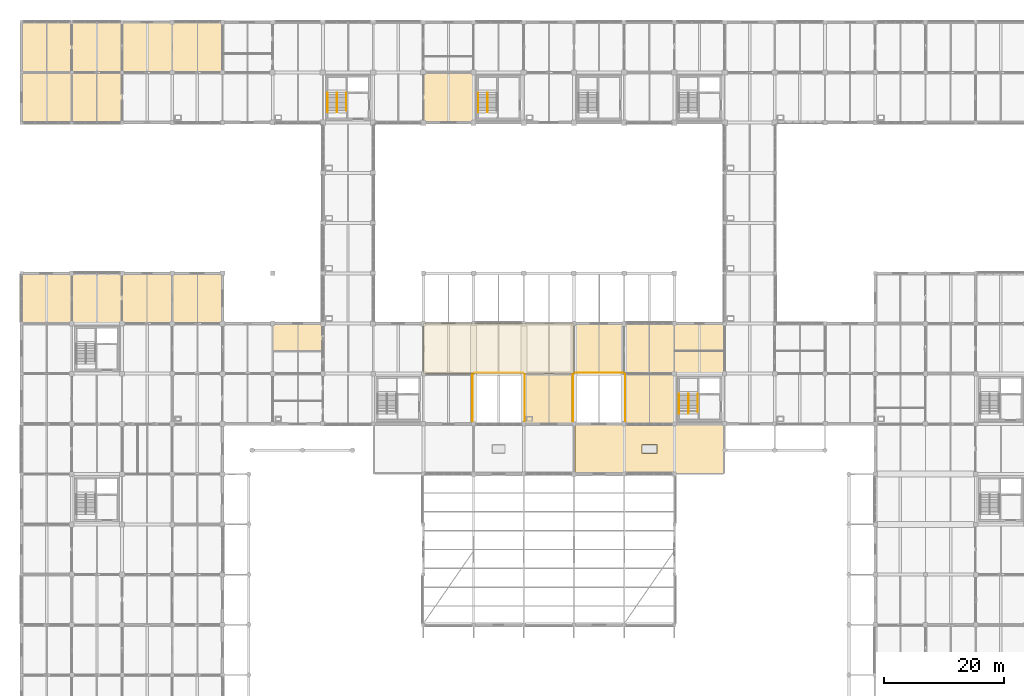
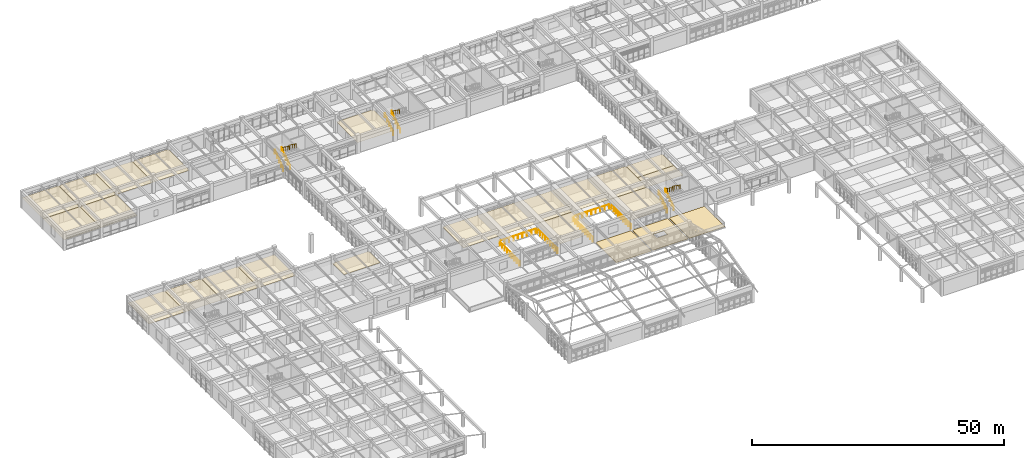
# One storey, part 97 of 99: 22 coverings, 17 railings.
"""IFC4 building model written with IfcOpenShell, lengths in metres."""

from ifc_helpers import new_model, si_unit, direction, frame, origin, origin_2d, place, context, subcontext, project, spatial, polyline, circle, outline, extrude, material, layer, layer_set, type_object, element, save


model = new_model("IFC4")

# Units and contexts
model_context = context("Model", 3, precision=1e-05, world=origin(), true_north=direction((0.0, 1.0)))
body_context = subcontext(model_context, "Body", "Model", "MODEL_VIEW")
ifc_project = project(units=[si_unit("LENGTHUNIT", "METRE"), si_unit("AREAUNIT", "SQUARE_METRE"), si_unit("VOLUMEUNIT", "CUBIC_METRE"), si_unit("PLANEANGLEUNIT", "RADIAN"), si_unit("MASSUNIT", "GRAM", prefix="KILO")], contexts=[model_context])

# Site, building, storey
site_placement = place(None, origin())
site = spatial("IfcSite", under=ifc_project, at=site_placement, CompositionType="ELEMENT")
building_placement = place(site_placement, origin())
building = spatial("IfcBuilding", under=site, at=building_placement, Name="Porcellanite Civic Hall", CompositionType="ELEMENT")
storey_placement = place(building_placement, frame((0.0, 0.0, 5.760009765625)))
storey = spatial("IfcBuildingStorey", under=building, at=storey_placement, Name="L01", CompositionType="ELEMENT", Elevation=5.760009765625)

# Coverings
ifc_material_1 = material(Name="Perforated acoustic mineral-fibre and spotted-gum batten ceiling")
ifc_layer_1 = layer(ifc_material_1, 0.02490234375)
ifc_layer_set_1 = layer_set([ifc_layer_1], Name="Perforated acoustic mineral-fibre and spotted-gum batten ceiling")
covering_type_1 = type_object("IfcCoveringType", Name="COV-CL1", PredefinedType="CEILING", material=ifc_layer_set_1)
covering_1_placement = place(storey_placement, frame((0.0, 0.0, 2.375)))
element("IfcCovering", 1, at=covering_1_placement, inside=storey, type_object=covering_type_1, Name="Acoustic ceiling Statutory Inquiries Office L01-B", PredefinedType="CEILING", context=body_context, shape_type="SweptSolid", body=[
    extrude(outline(polyline([(42.010009765625, 62.610107421875), (50.389892578125, 62.610107421875), (50.389892578125, 67.18994140625), (42.010009765625, 67.18994140625), (42.010009765625, 62.610107421875)])), origin(), (0.0, 0.0, 1.0), 0.02490234375),
])
covering_2_placement = place(storey_placement, frame((0.0, 0.0, 2.375)))
element("IfcCovering", 2, at=covering_2_placement, inside=storey, type_object=covering_type_1, Name="Acoustic ceiling Parliamentary Counsel Suite L01-A", PredefinedType="CEILING", context=body_context, shape_type="SweptSolid", body=[
    extrude(outline(polyline([(109.2099609375, 58.81005859375), (117.590087890625, 58.81005859375), (117.590087890625, 62.590087890625), (109.2099609375, 62.590087890625), (109.2099609375, 58.81005859375)])), origin(), (0.0, 0.0, 1.0), 0.02490234375),
])
covering_3_placement = place(storey_placement, frame((0.0, 0.0, 2.375)))
element("IfcCovering", 3, at=covering_3_placement, inside=storey, type_object=covering_type_1, Name="Acoustic ceiling Committee Briefing Room L01-C", PredefinedType="CEILING", context=body_context, shape_type="SweptSolid", body=[
    extrude(outline(polyline([(109.2099609375, 62.610107421875), (117.590087890625, 62.610107421875), (117.590087890625, 67.18994140625), (109.2099609375, 67.18994140625), (109.2099609375, 62.610107421875)])), origin(), (0.0, 0.0, 1.0), 0.02490234375),
])
covering_4_placement = place(storey_placement, frame((0.0, 0.0, 2.375)))
element("IfcCovering", 4, at=covering_4_placement, inside=storey, type_object=covering_type_1, Name="Acoustic ceiling Standing Committee Suite L01-09", PredefinedType="CEILING", context=body_context, shape_type="SweptSolid", body=[
    extrude(outline(polyline([(0.010009765625, 67.2099609375), (8.389892578125, 67.2099609375), (8.389892578125, 75.590087890625), (0.010009765625, 75.590087890625), (0.010009765625, 67.2099609375)])), origin(), (0.0, 0.0, 1.0), 0.02490234375),
])
covering_5_placement = place(storey_placement, frame((0.0, 0.0, 2.375)))
element("IfcCovering", 5, at=covering_5_placement, inside=storey, type_object=covering_type_1, Name="Acoustic ceiling Municipal Finance Office L01-10", PredefinedType="CEILING", context=body_context, shape_type="SweptSolid", body=[
    extrude(outline(polyline([(0.010009765625, 100.81005859375), (8.389892578125, 100.81005859375), (8.389892578125, 109.18994140625), (0.010009765625, 109.18994140625), (0.010009765625, 100.81005859375)])), origin(), (0.0, 0.0, 1.0), 0.02490234375),
])
covering_6_placement = place(storey_placement, frame((0.0, 0.0, 2.375)))
element("IfcCovering", 6, at=covering_6_placement, inside=storey, type_object=covering_type_1, Name="Acoustic ceiling Customer Relations Office L01-11", PredefinedType="CEILING", context=body_context, shape_type="SweptSolid", body=[
    extrude(outline(polyline([(0.010009765625, 109.2099609375), (8.389892578125, 109.2099609375), (8.389892578125, 117.590087890625), (0.010009765625, 117.590087890625), (0.010009765625, 109.2099609375)])), origin(), (0.0, 0.0, 1.0), 0.02490234375),
])
covering_7_placement = place(storey_placement, frame((0.0, 0.0, 2.375)))
element("IfcCovering", 7, at=covering_7_placement, inside=storey, type_object=covering_type_1, Name="Acoustic ceiling Standing Committee Suite L01-18", PredefinedType="CEILING", context=body_context, shape_type="SweptSolid", body=[
    extrude(outline(polyline([(8.409912109375, 67.2099609375), (16.7900390625, 67.2099609375), (16.7900390625, 75.590087890625), (8.409912109375, 75.590087890625), (8.409912109375, 67.2099609375)])), origin(), (0.0, 0.0, 1.0), 0.02490234375),
])
covering_8_placement = place(storey_placement, frame((0.0, 0.0, 2.375)))
element("IfcCovering", 8, at=covering_8_placement, inside=storey, type_object=covering_type_1, Name="Acoustic ceiling Municipal Finance Office L01-19", PredefinedType="CEILING", context=body_context, shape_type="SweptSolid", body=[
    extrude(outline(polyline([(8.409912109375, 100.81005859375), (16.7900390625, 100.81005859375), (16.7900390625, 109.18994140625), (8.409912109375, 109.18994140625), (8.409912109375, 100.81005859375)])), origin(), (0.0, 0.0, 1.0), 0.02490234375),
])
covering_9_placement = place(storey_placement, frame((0.0, 0.0, 2.375)))
element("IfcCovering", 9, at=covering_9_placement, inside=storey, type_object=covering_type_1, Name="Acoustic ceiling Customer Relations Office L01-20", PredefinedType="CEILING", context=body_context, shape_type="SweptSolid", body=[
    extrude(outline(polyline([(8.409912109375, 109.2099609375), (16.7900390625, 109.2099609375), (16.7900390625, 117.590087890625), (8.409912109375, 117.590087890625), (8.409912109375, 109.2099609375)])), origin(), (0.0, 0.0, 1.0), 0.02490234375),
])
covering_10_placement = place(storey_placement, frame((0.0, 0.0, 2.375)))
element("IfcCovering", 10, at=covering_10_placement, inside=storey, type_object=covering_type_1, Name="Acoustic ceiling Hansard Witness Room L01-28", PredefinedType="CEILING", context=body_context, shape_type="SweptSolid", body=[
    extrude(outline(polyline([(16.81005859375, 67.2099609375), (25.18994140625, 67.2099609375), (25.18994140625, 75.590087890625), (16.81005859375, 75.590087890625), (16.81005859375, 67.2099609375)])), origin(), (0.0, 0.0, 1.0), 0.02490234375),
])
covering_11_placement = place(storey_placement, frame((0.0, 0.0, 2.375)))
element("IfcCovering", 11, at=covering_11_placement, inside=storey, type_object=covering_type_1, Name="Acoustic ceiling Civic Events Directorate L01-30", PredefinedType="CEILING", context=body_context, shape_type="SweptSolid", body=[
    extrude(outline(polyline([(16.81005859375, 109.2099609375), (25.18994140625, 109.2099609375), (25.18994140625, 117.590087890625), (16.81005859375, 117.590087890625), (16.81005859375, 109.2099609375)])), origin(), (0.0, 0.0, 1.0), 0.02490234375),
])
covering_12_placement = place(storey_placement, frame((0.0, 0.0, 2.375)))
element("IfcCovering", 12, at=covering_12_placement, inside=storey, type_object=covering_type_1, Name="Acoustic ceiling Committee Room L01-39", PredefinedType="CEILING", context=body_context, shape_type="SweptSolid", body=[
    extrude(outline(polyline([(25.2099609375, 67.2099609375), (33.590087890625, 67.2099609375), (33.590087890625, 75.590087890625), (25.2099609375, 75.590087890625), (25.2099609375, 67.2099609375)])), origin(), (0.0, 0.0, 1.0), 0.02490234375),
])
covering_13_placement = place(storey_placement, frame((0.0, 0.0, 2.375)))
element("IfcCovering", 13, at=covering_13_placement, inside=storey, type_object=covering_type_1, Name="Acoustic ceiling Procurement Suite L01-41", PredefinedType="CEILING", context=body_context, shape_type="SweptSolid", body=[
    extrude(outline(polyline([(25.2099609375, 109.2099609375), (33.590087890625, 109.2099609375), (33.590087890625, 117.590087890625), (25.2099609375, 117.590087890625), (25.2099609375, 109.2099609375)])), origin(), (0.0, 0.0, 1.0), 0.02490234375),
])
covering_14_placement = place(storey_placement, frame((0.0, 0.0, 2.375)))
element("IfcCovering", 14, at=covering_14_placement, inside=storey, type_object=covering_type_1, Name="Acoustic ceiling Municipal Finance Office L01-58", PredefinedType="CEILING", context=body_context, shape_type="SweptSolid", body=[
    extrude(outline(polyline([(67.2099609375, 100.81005859375), (75.590087890625, 100.81005859375), (75.590087890625, 109.18994140625), (67.2099609375, 109.18994140625), (67.2099609375, 100.81005859375)])), origin(), (0.0, 0.0, 1.0), 0.02490234375),
])
covering_15_placement = place(storey_placement, frame((0.0, 0.0, 2.375)))
element("IfcCovering", 15, at=covering_15_placement, inside=storey, type_object=covering_type_1, Name="Acoustic ceiling Citizens Ombudsman Suite L01-60", PredefinedType="CEILING", context=body_context, shape_type="SweptSolid", body=[
    extrude(outline(polyline([(84.010009765625, 50.409912109375), (92.389892578125, 50.409912109375), (92.389892578125, 58.7900390625), (84.010009765625, 58.7900390625), (84.010009765625, 50.409912109375)])), origin(), (0.0, 0.0, 1.0), 0.02490234375),
])
covering_16_placement = place(storey_placement, frame((0.0, 0.0, 2.375)))
element("IfcCovering", 16, at=covering_16_placement, inside=storey, type_object=covering_type_1, Name="Acoustic ceiling Parliamentary Counsel Suite L01-63", PredefinedType="CEILING", context=body_context, shape_type="SweptSolid", body=[
    extrude(outline(polyline([(92.409912109375, 58.81005859375), (100.7900390625, 58.81005859375), (100.7900390625, 67.18994140625), (92.409912109375, 67.18994140625), (92.409912109375, 58.81005859375)])), origin(), (0.0, 0.0, 1.0), 0.02490234375),
])
covering_17_placement = place(storey_placement, frame((0.0, 0.0, 2.375)))
element("IfcCovering", 17, at=covering_17_placement, inside=storey, type_object=covering_type_1, Name="Acoustic ceiling Committee Briefing Room L01-65", PredefinedType="CEILING", context=body_context, shape_type="SweptSolid", body=[
    extrude(outline(polyline([(100.81005859375, 50.409912109375), (109.18994140625, 50.409912109375), (109.18994140625, 58.7900390625), (100.81005859375, 58.7900390625), (100.81005859375, 50.409912109375)])), origin(), (0.0, 0.0, 1.0), 0.02490234375),
])
covering_18_placement = place(storey_placement, frame((0.0, 0.0, 2.375)))
element("IfcCovering", 18, at=covering_18_placement, inside=storey, type_object=covering_type_1, Name="Acoustic ceiling Citizens Ombudsman Suite L01-66", PredefinedType="CEILING", context=body_context, shape_type="SweptSolid", body=[
    extrude(outline(polyline([(100.81005859375, 58.81005859375), (109.18994140625, 58.81005859375), (109.18994140625, 67.18994140625), (100.81005859375, 67.18994140625), (100.81005859375, 58.81005859375)])), origin(), (0.0, 0.0, 1.0), 0.02490234375),
])
ifc_material_2 = material(Name="Perforated acoustic mineral-fibre and spotted-gum batten ceiling")
ifc_layer_2 = layer(ifc_material_2, 0.044921875)
ifc_layer_set_2 = layer_set([ifc_layer_2], Name="Perforated acoustic mineral-fibre and spotted-gum batten ceiling")
covering_type_2 = type_object("IfcCoveringType", Name="COV-CL3", PredefinedType="CEILING", material=ifc_layer_set_2)
covering_19_placement = place(storey_placement, frame((0.0, 0.0, 2.35498046875)))
element("IfcCovering", 19, at=covering_19_placement, inside=storey, type_object=covering_type_2, Name="Acoustic ceiling Citizens Service Centre Mezzanine", PredefinedType="CEILING", context=body_context, shape_type="SweptSolid", body=[
    extrude(outline(polyline([(67.2099609375, 58.81005859375), (92.389892578125, 58.81005859375), (92.389892578125, 67.18994140625), (67.2099609375, 67.18994140625), (67.2099609375, 58.81005859375)])), origin(), (0.0, 0.0, 1.0), 0.044921875),
])
ifc_material_3 = material(Name="Insulated light-reflective TPO monsoon roofing membrane")
ifc_layer_3 = layer(ifc_material_3, 0.080078125)
ifc_layer_set_3 = layer_set([ifc_layer_3], Name="Insulated light-reflective TPO monsoon roofing membrane")
covering_type_3 = type_object("IfcCoveringType", Name="COV-RF1", PredefinedType="ROOFING", material=ifc_layer_set_3)
covering_20_placement = place(storey_placement, origin())
element("IfcCovering", 20, at=covering_20_placement, inside=storey, type_object=covering_type_3, Name="Roof membrane L01 13-6", PredefinedType="ROOFING", context=body_context, shape_type="SweptSolid", body=[
    extrude(outline(polyline([(100.949951171875, 42.14990234375), (109.050048828125, 42.14990234375), (109.050048828125, 50.25), (100.949951171875, 50.25), (100.949951171875, 42.14990234375)]), holes=[polyline([(103.75, 45.449951171875), (106.25, 45.449951171875), (106.25, 46.949951171875), (103.75, 46.949951171875), (103.75, 45.449951171875)])]), origin(), (0.0, 0.0, 1.0), 0.080078125),
])
ifc_material_4 = material(Name="Insulated light-reflective TPO monsoon roofing membrane")
ifc_layer_4 = layer(ifc_material_4, 0.070068359375)
ifc_layer_set_4 = layer_set([ifc_layer_4], Name="Insulated light-reflective TPO monsoon roofing membrane")
covering_type_4 = type_object("IfcCoveringType", Name="COV-RF2", PredefinedType="ROOFING", material=ifc_layer_set_4)
covering_21_placement = place(storey_placement, origin())
element("IfcCovering", 21, at=covering_21_placement, inside=storey, type_object=covering_type_4, Name="Roof membrane L01 14-6", PredefinedType="ROOFING", context=body_context, shape_type="SweptSolid", body=[
    extrude(outline(polyline([(109.35009765625, 42.14990234375), (117.449951171875, 42.14990234375), (117.449951171875, 50.25), (109.35009765625, 50.25), (109.35009765625, 42.14990234375)])), origin(), (0.0, 0.0, 1.0), 0.070068359375),
])
ifc_material_5 = material(Name="Insulated light-reflective TPO monsoon roofing membrane")
ifc_layer_5 = layer(ifc_material_5, 0.06005859375)
ifc_layer_set_5 = layer_set([ifc_layer_5], Name="Insulated light-reflective TPO monsoon roofing membrane")
covering_type_5 = type_object("IfcCoveringType", Name="COV-RF3", PredefinedType="ROOFING", material=ifc_layer_set_5)
covering_22_placement = place(storey_placement, origin())
element("IfcCovering", 22, at=covering_22_placement, inside=storey, type_object=covering_type_5, Name="Roof membrane L01 12-6", PredefinedType="ROOFING", context=body_context, shape_type="SweptSolid", body=[
    extrude(outline(polyline([(92.550048828125, 42.14990234375), (100.64990234375, 42.14990234375), (100.64990234375, 50.25), (92.550048828125, 50.25), (92.550048828125, 42.14990234375)])), origin(), (0.0, 0.0, 1.0), 0.06005859375),
])

# Railings
ifc_material_6 = material(Name="Brushed stainless steel 316", Category="steel")
railing_type_1 = type_object("IfcRailingType", Name="RL-GR114", PredefinedType="GUARDRAIL", material=ifc_material_6)
railing_1_placement = place(storey_placement, frame((75.719970703125, 58.9599609375, 0.0)))
element("IfcRailing", 23, at=railing_1_placement, inside=storey, type_object=railing_type_1, Name="Gallery void guard L01 N 10-7", PredefinedType="GUARDRAIL", context=body_context, shape_type="SweptSolid", body=[
    extrude(circle(Radius=0.02490234375, at=origin_2d()), frame((0.0, 0.0, 1.11474609375), z_axis=(1.0, 0.0, 0.0), x_axis=(0.0, 1.0, 0.0)), (0.0, 0.0, 1.0), 8.159912109375),
    extrude(circle(Radius=0.02197265625, at=origin_2d()), origin(), (0.0, 0.0, 1.0), 1.08984375),
    extrude(circle(Radius=0.02197265625, at=origin_2d()), frame((1.02001953125, 0.0, 0.0)), (0.0, 0.0, 1.0), 1.08984375),
    extrude(circle(Radius=0.02197265625, at=origin_2d()), frame((2.0400390625, 0.0, 0.0)), (0.0, 0.0, 1.0), 1.08984375),
    extrude(circle(Radius=0.02197265625, at=origin_2d()), frame((3.06005859375, 0.0, 0.0)), (0.0, 0.0, 1.0), 1.08984375),
    extrude(circle(Radius=0.02197265625, at=origin_2d()), frame((4.080078125, 0.0, 0.0)), (0.0, 0.0, 1.0), 1.08984375),
    extrude(circle(Radius=0.02197265625, at=origin_2d()), frame((5.099853515625, 0.0, 0.0)), (0.0, 0.0, 1.0), 1.08984375),
    extrude(circle(Radius=0.02197265625, at=origin_2d()), frame((6.119873046875, 0.0, 0.0)), (0.0, 0.0, 1.0), 1.08984375),
    extrude(circle(Radius=0.02197265625, at=origin_2d()), frame((7.139892578125, 0.0, 0.0)), (0.0, 0.0, 1.0), 1.08984375),
    extrude(circle(Radius=0.02197265625, at=origin_2d()), frame((8.159912109375, 0.0, 0.0)), (0.0, 0.0, 1.0), 1.08984375),
])
for number, where, name in (
    (24, (75.43994140625, 50.85009765625, 0.0), "Gallery void guard L01 W 10-7"),
    (25, (84.159912109375, 50.85009765625, 0.0), "Gallery void guard L01 E 10-7"),
):
    element("IfcRailing", number, at=place(storey_placement, frame(where)), inside=storey, type_object=railing_type_1, Name=name, PredefinedType="GUARDRAIL", context=body_context, shape_type="SweptSolid", body=[
        extrude(circle(Radius=0.02490234375, at=origin_2d()), frame((0.0, 0.0, 1.11474609375), z_axis=(0.0, 1.0, 0.0), x_axis=(-1.0, 0.0, 0.0)), (0.0, 0.0, 1.0), 7.829833984375),
        extrude(circle(Radius=0.02197265625, at=origin_2d()), origin(), (0.0, 0.0, 1.0), 1.08984375),
        extrude(circle(Radius=0.02197265625, at=origin_2d()), frame((0.0, 0.978759765625, 0.0)), (0.0, 0.0, 1.0), 1.08984375),
        extrude(circle(Radius=0.02197265625, at=origin_2d()), frame((0.0, 1.95751953125, 0.0)), (0.0, 0.0, 1.0), 1.08984375),
        extrude(circle(Radius=0.02197265625, at=origin_2d()), frame((0.0, 2.936279296875, 0.0)), (0.0, 0.0, 1.0), 1.08984375),
        extrude(circle(Radius=0.02197265625, at=origin_2d()), frame((0.0, 3.9150390625, 0.0)), (0.0, 0.0, 1.0), 1.08984375),
        extrude(circle(Radius=0.02197265625, at=origin_2d()), frame((0.0, 4.8935546875, 0.0)), (0.0, 0.0, 1.0), 1.08984375),
        extrude(circle(Radius=0.02197265625, at=origin_2d()), frame((0.0, 5.872314453125, 0.0)), (0.0, 0.0, 1.0), 1.08984375),
        extrude(circle(Radius=0.02197265625, at=origin_2d()), frame((0.0, 6.85107421875, 0.0)), (0.0, 0.0, 1.0), 1.08984375),
        extrude(circle(Radius=0.02197265625, at=origin_2d()), frame((0.0, 7.829833984375, 0.0)), (0.0, 0.0, 1.0), 1.08984375),
    ])
railing_2_placement = place(storey_placement, frame((92.52001953125, 58.9599609375, 0.0)))
element("IfcRailing", 26, at=railing_2_placement, inside=storey, type_object=railing_type_1, Name="Gallery void guard L01 N 12-7", PredefinedType="GUARDRAIL", context=body_context, shape_type="SweptSolid", body=[
    extrude(circle(Radius=0.02490234375, at=origin_2d()), frame((0.0, 0.0, 1.11474609375), z_axis=(1.0, 0.0, 0.0), x_axis=(0.0, 1.0, 0.0)), (0.0, 0.0, 1.0), 8.159912109375),
    extrude(circle(Radius=0.02197265625, at=origin_2d()), origin(), (0.0, 0.0, 1.0), 1.08984375),
    extrude(circle(Radius=0.02197265625, at=origin_2d()), frame((1.02001953125, 0.0, 0.0)), (0.0, 0.0, 1.0), 1.08984375),
    extrude(circle(Radius=0.02197265625, at=origin_2d()), frame((2.0400390625, 0.0, 0.0)), (0.0, 0.0, 1.0), 1.08984375),
    extrude(circle(Radius=0.02197265625, at=origin_2d()), frame((3.06005859375, 0.0, 0.0)), (0.0, 0.0, 1.0), 1.08984375),
    extrude(circle(Radius=0.02197265625, at=origin_2d()), frame((4.080078125, 0.0, 0.0)), (0.0, 0.0, 1.0), 1.08984375),
    extrude(circle(Radius=0.02197265625, at=origin_2d()), frame((5.099853515625, 0.0, 0.0)), (0.0, 0.0, 1.0), 1.08984375),
    extrude(circle(Radius=0.02197265625, at=origin_2d()), frame((6.119873046875, 0.0, 0.0)), (0.0, 0.0, 1.0), 1.08984375),
    extrude(circle(Radius=0.02197265625, at=origin_2d()), frame((7.139892578125, 0.0, 0.0)), (0.0, 0.0, 1.0), 1.08984375),
    extrude(circle(Radius=0.02197265625, at=origin_2d()), frame((8.159912109375, 0.0, 0.0)), (0.0, 0.0, 1.0), 1.08984375),
])
for number, where, name in (
    (27, (92.239990234375, 50.85009765625, 0.0), "Gallery void guard L01 W 12-7"),
    (28, (100.9599609375, 50.85009765625, 0.0), "Gallery void guard L01 E 12-7"),
):
    element("IfcRailing", number, at=place(storey_placement, frame(where)), inside=storey, type_object=railing_type_1, Name=name, PredefinedType="GUARDRAIL", context=body_context, shape_type="SweptSolid", body=[
        extrude(circle(Radius=0.02490234375, at=origin_2d()), frame((0.0, 0.0, 1.11474609375), z_axis=(0.0, 1.0, 0.0), x_axis=(-1.0, 0.0, 0.0)), (0.0, 0.0, 1.0), 7.829833984375),
        extrude(circle(Radius=0.02197265625, at=origin_2d()), origin(), (0.0, 0.0, 1.0), 1.08984375),
        extrude(circle(Radius=0.02197265625, at=origin_2d()), frame((0.0, 0.978759765625, 0.0)), (0.0, 0.0, 1.0), 1.08984375),
        extrude(circle(Radius=0.02197265625, at=origin_2d()), frame((0.0, 1.95751953125, 0.0)), (0.0, 0.0, 1.0), 1.08984375),
        extrude(circle(Radius=0.02197265625, at=origin_2d()), frame((0.0, 2.936279296875, 0.0)), (0.0, 0.0, 1.0), 1.08984375),
        extrude(circle(Radius=0.02197265625, at=origin_2d()), frame((0.0, 3.9150390625, 0.0)), (0.0, 0.0, 1.0), 1.08984375),
        extrude(circle(Radius=0.02197265625, at=origin_2d()), frame((0.0, 4.8935546875, 0.0)), (0.0, 0.0, 1.0), 1.08984375),
        extrude(circle(Radius=0.02197265625, at=origin_2d()), frame((0.0, 5.872314453125, 0.0)), (0.0, 0.0, 1.0), 1.08984375),
        extrude(circle(Radius=0.02197265625, at=origin_2d()), frame((0.0, 6.85107421875, 0.0)), (0.0, 0.0, 1.0), 1.08984375),
        extrude(circle(Radius=0.02197265625, at=origin_2d()), frame((0.0, 7.829833984375, 0.0)), (0.0, 0.0, 1.0), 1.08984375),
    ])
ifc_material_7 = material(Name="Brushed stainless steel 316", Category="steel")
railing_type_2 = type_object("IfcRailingType", Name="RL-HR920", PredefinedType="HANDRAIL", material=ifc_material_7)
railing_3_placement = place(storey_placement, frame((51.18505859375, 102.52490234375, 0.0)))
element("IfcRailing", 29, at=railing_3_placement, inside=storey, type_object=railing_type_2, Name="Stair handrail ST-03 L01 1", PredefinedType="HANDRAIL", context=body_context, shape_type="SweptSolid", body=[
    extrude(circle(Radius=0.02197265625, at=origin_2d()), frame((0.0, 0.0, 0.89794921875), z_axis=(0.0, 0.815726678323, 0.578437538782), x_axis=(-1.0, 0.0, 0.0)), (0.0, 0.0, 1.0), 4.045654296875),
    extrude(circle(Radius=0.01904296875, at=origin_2d()), origin(), (0.0, 0.0, 1.0), 0.8759765625),
    extrude(circle(Radius=0.01904296875, at=origin_2d()), frame((0.0, 0.824951171875, 0.5849609375)), (0.0, 0.0, 1.0), 0.8759765625),
    extrude(circle(Radius=0.01904296875, at=origin_2d()), frame((0.0, 1.64990234375, 1.169921875)), (0.0, 0.0, 1.0), 0.8759765625),
    extrude(circle(Radius=0.01904296875, at=origin_2d()), frame((0.0, 2.47509765625, 1.755126953125)), (0.0, 0.0, 1.0), 0.8759765625),
    extrude(circle(Radius=0.01904296875, at=origin_2d()), frame((0.0, 3.300048828125, 2.340087890625)), (0.0, 0.0, 1.0), 0.8759765625),
])
railing_4_placement = place(storey_placement, frame((52.764892578125, 105.824951171875, 2.340087890625)))
element("IfcRailing", 30, at=railing_4_placement, inside=storey, type_object=railing_type_2, Name="Stair handrail ST-03 L01 3", PredefinedType="HANDRAIL", context=body_context, shape_type="SweptSolid", body=[
    extrude(circle(Radius=0.02197265625, at=origin_2d()), frame((0.0, 0.0, 0.89794921875), z_axis=(0.0, -0.813826661234, 0.581107705564), x_axis=(1.0, 0.0, 0.0)), (0.0, 0.0, 1.0), 3.716796875),
    extrude(circle(Radius=0.01904296875, at=origin_2d()), origin(), (0.0, 0.0, 1.0), 0.8759765625),
    extrude(circle(Radius=0.01904296875, at=origin_2d()), frame((0.0, -0.75634765625, 0.5400390625)), (0.0, 0.0, 1.0), 0.8759765625),
    extrude(circle(Radius=0.01904296875, at=origin_2d()), frame((0.0, -1.512451171875, 1.080078125)), (0.0, 0.0, 1.0), 0.8759765625),
    extrude(circle(Radius=0.01904296875, at=origin_2d()), frame((0.0, -2.2685546875, 1.619873046875)), (0.0, 0.0, 1.0), 0.8759765625),
    extrude(circle(Radius=0.01904296875, at=origin_2d()), frame((0.0, -3.02490234375, 2.159912109375)), (0.0, 0.0, 1.0), 0.8759765625),
])
railing_5_placement = place(storey_placement, frame((109.985107421875, 52.125, 0.0)))
element("IfcRailing", 31, at=railing_5_placement, inside=storey, type_object=railing_type_2, Name="Stair handrail ST-06 L01 1", PredefinedType="HANDRAIL", context=body_context, shape_type="SweptSolid", body=[
    extrude(circle(Radius=0.02197265625, at=origin_2d()), frame((0.0, 0.0, 0.89794921875), z_axis=(0.0, 0.815726678323, 0.578437538782), x_axis=(-1.0, 0.0, 0.0)), (0.0, 0.0, 1.0), 4.045654296875),
    extrude(circle(Radius=0.01904296875, at=origin_2d()), origin(), (0.0, 0.0, 1.0), 0.8759765625),
    extrude(circle(Radius=0.01904296875, at=origin_2d()), frame((0.0, 0.824951171875, 0.5849609375)), (0.0, 0.0, 1.0), 0.8759765625),
    extrude(circle(Radius=0.01904296875, at=origin_2d()), frame((0.0, 1.64990234375, 1.169921875)), (0.0, 0.0, 1.0), 0.8759765625),
    extrude(circle(Radius=0.01904296875, at=origin_2d()), frame((0.0, 2.47509765625, 1.755126953125)), (0.0, 0.0, 1.0), 0.8759765625),
    extrude(circle(Radius=0.01904296875, at=origin_2d()), frame((0.0, 3.300048828125, 2.340087890625)), (0.0, 0.0, 1.0), 0.8759765625),
])
railing_6_placement = place(storey_placement, frame((111.56494140625, 55.425048828125, 2.340087890625)))
element("IfcRailing", 32, at=railing_6_placement, inside=storey, type_object=railing_type_2, Name="Stair handrail ST-06 L01 3", PredefinedType="HANDRAIL", context=body_context, shape_type="SweptSolid", body=[
    extrude(circle(Radius=0.02197265625, at=origin_2d()), frame((0.0, 0.0, 0.89794921875), z_axis=(0.0, -0.813848840085, 0.581076643389), x_axis=(1.0, 0.0, 0.0)), (0.0, 0.0, 1.0), 3.717041015625),
    extrude(circle(Radius=0.01904296875, at=origin_2d()), origin(), (0.0, 0.0, 1.0), 0.8759765625),
    extrude(circle(Radius=0.01904296875, at=origin_2d()), frame((0.0, -0.75634765625, 0.5400390625)), (0.0, 0.0, 1.0), 0.8759765625),
    extrude(circle(Radius=0.01904296875, at=origin_2d()), frame((0.0, -1.5126953125, 1.080078125)), (0.0, 0.0, 1.0), 0.8759765625),
    extrude(circle(Radius=0.01904296875, at=origin_2d()), frame((0.0, -2.268798828125, 1.619873046875)), (0.0, 0.0, 1.0), 0.8759765625),
    extrude(circle(Radius=0.01904296875, at=origin_2d()), frame((0.0, -3.025146484375, 2.159912109375)), (0.0, 0.0, 1.0), 0.8759765625),
])
railing_7_placement = place(storey_placement, frame((76.385009765625, 102.52490234375, 0.0)))
element("IfcRailing", 33, at=railing_7_placement, inside=storey, type_object=railing_type_2, Name="Stair handrail ST-09 L01 1", PredefinedType="HANDRAIL", context=body_context, shape_type="SweptSolid", body=[
    extrude(circle(Radius=0.02197265625, at=origin_2d()), frame((0.0, 0.0, 0.89794921875), z_axis=(0.0, 0.815726678323, 0.578437538782), x_axis=(-1.0, 0.0, 0.0)), (0.0, 0.0, 1.0), 4.045654296875),
    extrude(circle(Radius=0.01904296875, at=origin_2d()), origin(), (0.0, 0.0, 1.0), 0.8759765625),
    extrude(circle(Radius=0.01904296875, at=origin_2d()), frame((0.0, 0.824951171875, 0.5849609375)), (0.0, 0.0, 1.0), 0.8759765625),
    extrude(circle(Radius=0.01904296875, at=origin_2d()), frame((0.0, 1.64990234375, 1.169921875)), (0.0, 0.0, 1.0), 0.8759765625),
    extrude(circle(Radius=0.01904296875, at=origin_2d()), frame((0.0, 2.47509765625, 1.755126953125)), (0.0, 0.0, 1.0), 0.8759765625),
    extrude(circle(Radius=0.01904296875, at=origin_2d()), frame((0.0, 3.300048828125, 2.340087890625)), (0.0, 0.0, 1.0), 0.8759765625),
])
railing_8_placement = place(storey_placement, frame((77.965087890625, 105.824951171875, 2.340087890625)))
element("IfcRailing", 34, at=railing_8_placement, inside=storey, type_object=railing_type_2, Name="Stair handrail ST-09 L01 3", PredefinedType="HANDRAIL", context=body_context, shape_type="SweptSolid", body=[
    extrude(circle(Radius=0.02197265625, at=origin_2d()), frame((0.0, 0.0, 0.89794921875), z_axis=(0.0, -0.813826661234, 0.581107705564), x_axis=(1.0, 0.0, 0.0)), (0.0, 0.0, 1.0), 3.716796875),
    extrude(circle(Radius=0.01904296875, at=origin_2d()), origin(), (0.0, 0.0, 1.0), 0.8759765625),
    extrude(circle(Radius=0.01904296875, at=origin_2d()), frame((0.0, -0.75634765625, 0.5400390625)), (0.0, 0.0, 1.0), 0.8759765625),
    extrude(circle(Radius=0.01904296875, at=origin_2d()), frame((0.0, -1.512451171875, 1.080078125)), (0.0, 0.0, 1.0), 0.8759765625),
    extrude(circle(Radius=0.01904296875, at=origin_2d()), frame((0.0, -2.2685546875, 1.619873046875)), (0.0, 0.0, 1.0), 0.8759765625),
    extrude(circle(Radius=0.01904296875, at=origin_2d()), frame((0.0, -3.02490234375, 2.159912109375)), (0.0, 0.0, 1.0), 0.8759765625),
])
ifc_material_8 = material(Name="Brushed stainless steel 316", Category="steel")
railing_type_3 = type_object("IfcRailingType", Name="RL-HR950", PredefinedType="HANDRAIL", material=ifc_material_8)
railing_9_placement = place(storey_placement, frame((52.735107421875, 102.52490234375, 0.0)))
element("IfcRailing", 35, at=railing_9_placement, inside=storey, type_object=railing_type_3, Name="Stair handrail ST-03 L01 2", PredefinedType="HANDRAIL", context=body_context, shape_type="SweptSolid", body=[
    extrude(circle(Radius=0.02197265625, at=origin_2d()), frame((0.0, 0.0, 0.927978515625), z_axis=(0.0, 0.815726678323, 0.578437538782), x_axis=(-1.0, 0.0, 0.0)), (0.0, 0.0, 1.0), 4.045654296875),
    extrude(circle(Radius=0.01904296875, at=origin_2d()), origin(), (0.0, 0.0, 1.0), 0.906005859375),
    extrude(circle(Radius=0.01904296875, at=origin_2d()), frame((0.0, 0.824951171875, 0.5849609375)), (0.0, 0.0, 1.0), 0.906005859375),
    extrude(circle(Radius=0.01904296875, at=origin_2d()), frame((0.0, 1.64990234375, 1.169921875)), (0.0, 0.0, 1.0), 0.906005859375),
    extrude(circle(Radius=0.01904296875, at=origin_2d()), frame((0.0, 2.47509765625, 1.755126953125)), (0.0, 0.0, 1.0), 0.906005859375),
    extrude(circle(Radius=0.01904296875, at=origin_2d()), frame((0.0, 3.300048828125, 2.340087890625)), (0.0, 0.0, 1.0), 0.906005859375),
])
railing_10_placement = place(storey_placement, frame((54.31494140625, 105.824951171875, 2.340087890625)))
element("IfcRailing", 36, at=railing_10_placement, inside=storey, type_object=railing_type_3, Name="Stair handrail ST-03 L01 4", PredefinedType="HANDRAIL", context=body_context, shape_type="SweptSolid", body=[
    extrude(circle(Radius=0.02197265625, at=origin_2d()), frame((0.0, 0.0, 0.927978515625), z_axis=(0.0, -0.813826661234, 0.581107705564), x_axis=(1.0, 0.0, 0.0)), (0.0, 0.0, 1.0), 3.716796875),
    extrude(circle(Radius=0.01904296875, at=origin_2d()), origin(), (0.0, 0.0, 1.0), 0.906005859375),
    extrude(circle(Radius=0.01904296875, at=origin_2d()), frame((0.0, -0.75634765625, 0.5400390625)), (0.0, 0.0, 1.0), 0.906005859375),
    extrude(circle(Radius=0.01904296875, at=origin_2d()), frame((0.0, -1.512451171875, 1.080078125)), (0.0, 0.0, 1.0), 0.906005859375),
    extrude(circle(Radius=0.01904296875, at=origin_2d()), frame((0.0, -2.2685546875, 1.619873046875)), (0.0, 0.0, 1.0), 0.906005859375),
    extrude(circle(Radius=0.01904296875, at=origin_2d()), frame((0.0, -3.02490234375, 2.159912109375)), (0.0, 0.0, 1.0), 0.906005859375),
])
railing_11_placement = place(storey_placement, frame((111.534912109375, 52.125, 0.0)))
element("IfcRailing", 37, at=railing_11_placement, inside=storey, type_object=railing_type_3, Name="Stair handrail ST-06 L01 2", PredefinedType="HANDRAIL", context=body_context, shape_type="SweptSolid", body=[
    extrude(circle(Radius=0.02197265625, at=origin_2d()), frame((0.0, 0.0, 0.927978515625), z_axis=(0.0, 0.815726678323, 0.578437538782), x_axis=(-1.0, 0.0, 0.0)), (0.0, 0.0, 1.0), 4.045654296875),
    extrude(circle(Radius=0.01904296875, at=origin_2d()), origin(), (0.0, 0.0, 1.0), 0.906005859375),
    extrude(circle(Radius=0.01904296875, at=origin_2d()), frame((0.0, 0.824951171875, 0.5849609375)), (0.0, 0.0, 1.0), 0.906005859375),
    extrude(circle(Radius=0.01904296875, at=origin_2d()), frame((0.0, 1.64990234375, 1.169921875)), (0.0, 0.0, 1.0), 0.906005859375),
    extrude(circle(Radius=0.01904296875, at=origin_2d()), frame((0.0, 2.47509765625, 1.755126953125)), (0.0, 0.0, 1.0), 0.906005859375),
    extrude(circle(Radius=0.01904296875, at=origin_2d()), frame((0.0, 3.300048828125, 2.340087890625)), (0.0, 0.0, 1.0), 0.906005859375),
])
railing_12_placement = place(storey_placement, frame((113.114990234375, 55.425048828125, 2.340087890625)))
element("IfcRailing", 38, at=railing_12_placement, inside=storey, type_object=railing_type_3, Name="Stair handrail ST-06 L01 4", PredefinedType="HANDRAIL", context=body_context, shape_type="SweptSolid", body=[
    extrude(circle(Radius=0.02197265625, at=origin_2d()), frame((0.0, 0.0, 0.927978515625), z_axis=(0.0, -0.813848840085, 0.581076643389), x_axis=(1.0, 0.0, 0.0)), (0.0, 0.0, 1.0), 3.717041015625),
    extrude(circle(Radius=0.01904296875, at=origin_2d()), origin(), (0.0, 0.0, 1.0), 0.906005859375),
    extrude(circle(Radius=0.01904296875, at=origin_2d()), frame((0.0, -0.75634765625, 0.5400390625)), (0.0, 0.0, 1.0), 0.906005859375),
    extrude(circle(Radius=0.01904296875, at=origin_2d()), frame((0.0, -1.5126953125, 1.080078125)), (0.0, 0.0, 1.0), 0.906005859375),
    extrude(circle(Radius=0.01904296875, at=origin_2d()), frame((0.0, -2.268798828125, 1.619873046875)), (0.0, 0.0, 1.0), 0.906005859375),
    extrude(circle(Radius=0.01904296875, at=origin_2d()), frame((0.0, -3.025146484375, 2.159912109375)), (0.0, 0.0, 1.0), 0.906005859375),
])
railing_13_placement = place(storey_placement, frame((77.93505859375, 102.52490234375, 0.0)))
element("IfcRailing", 39, at=railing_13_placement, inside=storey, type_object=railing_type_3, Name="Stair handrail ST-09 L01 2", PredefinedType="HANDRAIL", context=body_context, shape_type="SweptSolid", body=[
    extrude(circle(Radius=0.02197265625, at=origin_2d()), frame((0.0, 0.0, 0.927978515625), z_axis=(0.0, 0.815726678323, 0.578437538782), x_axis=(-1.0, 0.0, 0.0)), (0.0, 0.0, 1.0), 4.045654296875),
    extrude(circle(Radius=0.01904296875, at=origin_2d()), origin(), (0.0, 0.0, 1.0), 0.906005859375),
    extrude(circle(Radius=0.01904296875, at=origin_2d()), frame((0.0, 0.824951171875, 0.5849609375)), (0.0, 0.0, 1.0), 0.906005859375),
    extrude(circle(Radius=0.01904296875, at=origin_2d()), frame((0.0, 1.64990234375, 1.169921875)), (0.0, 0.0, 1.0), 0.906005859375),
    extrude(circle(Radius=0.01904296875, at=origin_2d()), frame((0.0, 2.47509765625, 1.755126953125)), (0.0, 0.0, 1.0), 0.906005859375),
    extrude(circle(Radius=0.01904296875, at=origin_2d()), frame((0.0, 3.300048828125, 2.340087890625)), (0.0, 0.0, 1.0), 0.906005859375),
])

save(model, "model.ifc")
